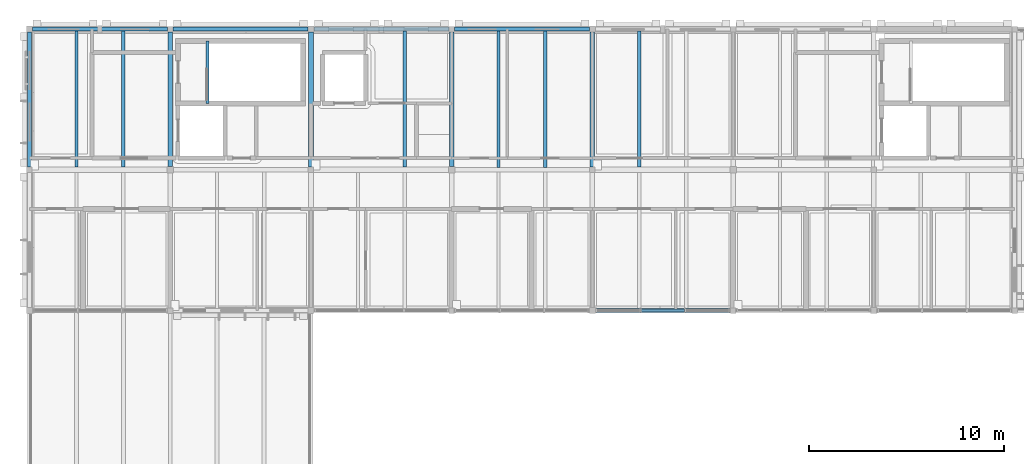
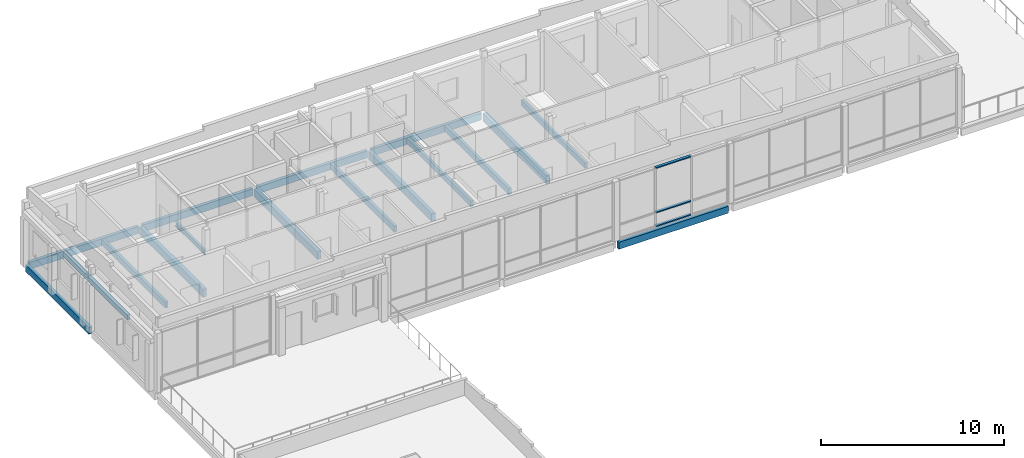
# One storey, part 11 of 32: 17 beams, 3 members, 1 element without a shape of its own.
"""IFC4 building model written with IfcOpenShell, lengths in metres."""

from ifc_helpers import new_model, si_unit, direction, frame, origin, origin_2d, place, context, subcontext, project, spatial, rectangle, hollow_rectangle, i_section, extrude, material, material_profile, profile_set, type_object, element, aggregate, save


model = new_model("IFC4")

# Units and contexts
model_context = context("Model", 3, precision=1e-05, world=origin(), true_north=direction((0.0, 1.0)))
body_context = subcontext(model_context, "Body", "Model", "MODEL_VIEW")
ifc_project = project(units=[si_unit("LENGTHUNIT", "METRE"), si_unit("AREAUNIT", "SQUARE_METRE"), si_unit("VOLUMEUNIT", "CUBIC_METRE"), si_unit("PLANEANGLEUNIT", "RADIAN"), si_unit("MASSUNIT", "GRAM", prefix="KILO")], contexts=[model_context])

# Site, building, storey
site_placement = place(None, origin())
site = spatial("IfcSite", under=ifc_project, at=site_placement, CompositionType="ELEMENT")
building_placement = place(site_placement, origin())
building = spatial("IfcBuilding", under=site, at=building_placement, Name="Hawrajan Terrace Health Centre", CompositionType="ELEMENT")
storey_placement = place(building_placement, frame((0.0, 0.0, 17.39990234375)))
storey = spatial("IfcBuildingStorey", under=building, at=storey_placement, Name="L04", CompositionType="ELEMENT", Elevation=17.39990234375)

# Curtain wall, members
ifc_material_1 = material(Name="Anodized bronze aluminium and low-E solar glazing", Category="aluminium")
curtain_wall_type = type_object("IfcCurtainWallType", Name="CW_CourtNS_SeriesC2", PredefinedType="USERDEFINED", material=ifc_material_1)
curtain_wall_placement = place(storey_placement, origin())
curtain_wall = element("IfcCurtainWall", 1, at=curtain_wall_placement, inside=storey, type_object=curtain_wall_type, Name="Curtain wall CW-L04-176", ObjectType="UNITISED CURTAIN WALL", PredefinedType="USERDEFINED")
ifc_material_2 = material(Name="Anodized bronze aluminium 6063-T6", Category="aluminium")
ifc_material_profile_1 = material_profile(ifc_material_2, hollow_rectangle(XDim=0.074951171875, YDim=0.169921875, WallThickness=0.00439453125, at=origin_2d()), Name="CW TRN 75x170")
ifc_profile_set_1 = profile_set([ifc_material_profile_1], Name="Anodized bronze aluminium 6063-T6")
member_type = type_object("IfcMemberType", Name="CWTransom_75x170", PredefinedType="USERDEFINED", material=ifc_profile_set_1)
member_1_placement = place(storey_placement, frame((35.904052734375, 45.39990234375, 0.03759765625), z_axis=(1.0, 0.0, 0.0), x_axis=(0.0, 0.0, 1.0)))
member_1 = element("IfcMember", 2, at=member_1_placement, type_object=member_type, Name="Transom CW-L04-176-T2-1", ObjectType="TRANSOM", PredefinedType="USERDEFINED", context=body_context, shape_type="SweptSolid", body=[
    extrude(hollow_rectangle(XDim=0.074951171875, YDim=0.169921875, WallThickness=0.00439453125, at=origin_2d()), origin(), (0.0, 0.0, 1.0), 2.2119140625),
])
member_2_placement = place(storey_placement, frame((35.904052734375, 45.39990234375, 0.9501953125), z_axis=(1.0, 0.0, 0.0), x_axis=(0.0, 0.0, 1.0)))
member_2 = element("IfcMember", 3, at=member_2_placement, type_object=member_type, Name="Transom CW-L04-176-T2-2", ObjectType="TRANSOM", PredefinedType="USERDEFINED", context=body_context, shape_type="SweptSolid", body=[
    extrude(hollow_rectangle(XDim=0.074951171875, YDim=0.169921875, WallThickness=0.00439453125, at=origin_2d()), origin(), (0.0, 0.0, 1.0), 2.2119140625),
])
member_3_placement = place(storey_placement, frame((35.904052734375, 45.39990234375, 3.91259765625), z_axis=(1.0, 0.0, 0.0), x_axis=(0.0, 0.0, 1.0)))
member_3 = element("IfcMember", 4, at=member_3_placement, type_object=member_type, Name="Transom CW-L04-176-T2-3", ObjectType="TRANSOM", PredefinedType="USERDEFINED", context=body_context, shape_type="SweptSolid", body=[
    extrude(hollow_rectangle(XDim=0.074951171875, YDim=0.169921875, WallThickness=0.00439453125, at=origin_2d()), origin(), (0.0, 0.0, 1.0), 2.2119140625),
])
aggregate(curtain_wall, [member_1, member_2, member_3])

# Beams
ifc_material_3 = material(Name="Glulam GL32h", Category="wood")
ifc_material_profile_2 = material_profile(ifc_material_3, rectangle(XDim=0.239990234375, YDim=0.52001953125, at=origin_2d()), Name="GL BM 240x520")
ifc_profile_set_2 = profile_set([ifc_material_profile_2], Name="Glulam GL32h")
beam_type_1 = type_object("IfcBeamType", Name="GlulamGirder_240x520", PredefinedType="BEAM", material=ifc_profile_set_2)
for number, where, z_axis, x_axis, name in (
    (5, (11.800048828125, 52.760009765625, -0.449951171875), (0.0, 1.0, 0.0), (-1.0, 0.0, 0.0), "Beam BM-Y-L04-W-X02-7"),
    (6, (19.0, 52.739990234375, -0.449951171875), (0.0, 1.0, 0.0), (-1.0, 0.0, 0.0), "Beam BM-Y-L04-W-X03-7"),
    (7, (26.199951171875, 52.760009765625, -0.449951171875), (0.0, 1.0, 0.0), (-1.0, 0.0, 0.0), "Beam BM-Y-L04-W-X04-7"),
    (8, (33.39990234375, 52.739990234375, -0.449951171875), (0.0, 1.0, 0.0), (-1.0, 0.0, 0.0), "Beam BM-Y-L04-W-X05-7"),
):
    element("IfcBeam", number, at=place(storey_placement, frame(where, z_axis=z_axis, x_axis=x_axis)), inside=storey, type_object=beam_type_1, Name=name, PredefinedType="BEAM", context=body_context, shape_type="SweptSolid", body=[
        extrude(rectangle(XDim=0.239990234375, YDim=0.52001953125, at=origin_2d()), origin(), (0.0, 0.0, 1.0), 6.89990234375),
    ])
ifc_material_4 = material(Name="Glulam GL28h", Category="wood")
ifc_material_profile_3 = material_profile(ifc_material_4, rectangle(XDim=0.159912109375, YDim=0.360107421875, at=origin_2d()), Name="GL JST 160x360")
ifc_profile_set_3 = profile_set([ifc_material_profile_3], Name="Glulam GL28h")
beam_type_2 = type_object("IfcBeamType", Name="GlulamJoist_160x360", PredefinedType="JOIST", material=ifc_profile_set_3)
beam_1_placement = place(storey_placement, frame((7.0, 52.739990234375, -0.369873046875), z_axis=(0.0, 1.0, 0.0), x_axis=(-1.0, 0.0, 0.0)))
element("IfcBeam", 9, at=beam_1_placement, inside=storey, type_object=beam_type_2, Name="Secondary joist JST-L04-W-01-7-1", PredefinedType="JOIST", context=body_context, shape_type="SweptSolid", body=[
    extrude(rectangle(XDim=0.159912109375, YDim=0.360107421875, at=origin_2d()), origin(), (0.0, 0.0, 1.0), 6.9599609375),
])
beam_2_placement = place(storey_placement, frame((28.60009765625, 52.719970703125, -0.369873046875), z_axis=(0.0, 1.0, 0.0), x_axis=(-1.0, 0.0, 0.0)))
element("IfcBeam", 10, at=beam_2_placement, inside=storey, type_object=beam_type_2, Name="Secondary joist JST-L04-W-04-7-1", PredefinedType="JOIST", context=body_context, shape_type="SweptSolid", body=[
    extrude(rectangle(XDim=0.159912109375, YDim=0.360107421875, at=origin_2d()), origin(), (0.0, 0.0, 1.0), 6.97998046875),
])
beam_3_placement = place(storey_placement, frame((35.800048828125, 52.739990234375, -0.369873046875), z_axis=(0.0, 1.0, 0.0), x_axis=(-1.0, 0.0, 0.0)))
element("IfcBeam", 11, at=beam_3_placement, inside=storey, type_object=beam_type_2, Name="Secondary joist JST-L04-W-05-7-1", PredefinedType="JOIST", context=body_context, shape_type="SweptSolid", body=[
    extrude(rectangle(XDim=0.159912109375, YDim=0.360107421875, at=origin_2d()), origin(), (0.0, 0.0, 1.0), 6.9599609375),
])
ifc_material_profile_4 = material_profile(ifc_material_4, rectangle(XDim=0.179931640625, YDim=0.39990234375, at=origin_2d()), Name="GL JST 180x400")
ifc_profile_set_4 = profile_set([ifc_material_profile_4], Name="Glulam GL28h")
beam_type_3 = type_object("IfcBeamType", Name="GlulamJoist_180x400", PredefinedType="JOIST", material=ifc_profile_set_4)
for number, where, z_axis, x_axis, name in (
    (12, (9.39990234375, 52.739990234375, -0.389892578125), (0.0, 1.0, 0.0), (-1.0, 0.0, 0.0), "Secondary joist JST-L04-W-01-7-2"),
    (13, (23.800048828125, 52.739990234375, -0.389892578125), (0.0, 1.0, 0.0), (-1.0, 0.0, 0.0), "Secondary joist JST-L04-W-03-7-2"),
):
    element("IfcBeam", number, at=place(storey_placement, frame(where, z_axis=z_axis, x_axis=x_axis)), inside=storey, type_object=beam_type_3, Name=name, PredefinedType="JOIST", context=body_context, shape_type="SweptSolid", body=[
        extrude(rectangle(XDim=0.179931640625, YDim=0.39990234375, at=origin_2d()), origin(), (0.0, 0.0, 1.0), 6.9599609375),
    ])
beam_4_placement = place(storey_placement, frame((31.0, 52.719970703125, -0.389892578125), z_axis=(0.0, 1.0, 0.0), x_axis=(-1.0, 0.0, 0.0)))
element("IfcBeam", 14, at=beam_4_placement, inside=storey, type_object=beam_type_3, Name="Secondary joist JST-L04-W-04-7-2", PredefinedType="JOIST", context=body_context, shape_type="SweptSolid", body=[
    extrude(rectangle(XDim=0.179931640625, YDim=0.39990234375, at=origin_2d()), origin(), (0.0, 0.0, 1.0), 6.97998046875),
])
ifc_material_profile_5 = material_profile(ifc_material_3, rectangle(XDim=0.199951171875, YDim=0.4599609375, at=origin_2d()), Name="GL SP 200x460")
ifc_profile_set_5 = profile_set([ifc_material_profile_5], Name="Glulam GL32h")
beam_type_4 = type_object("IfcBeamType", Name="GlulamSpandrel_200x460", PredefinedType="SPANDREL", material=ifc_profile_set_5)
beam_5_placement = place(storey_placement, frame((4.760009765625, 59.800048828125, -0.419921875), z_axis=(1.0, 0.0, 0.0), x_axis=(0.0, 1.0, 0.0)))
element("IfcBeam", 15, at=beam_5_placement, inside=storey, type_object=beam_type_4, Name="Beam BM-X-L04-W-01-Y8", PredefinedType="SPANDREL", context=body_context, shape_type="SweptSolid", body=[
    extrude(rectangle(XDim=0.199951171875, YDim=0.4599609375, at=origin_2d()), origin(), (0.0, 0.0, 1.0), 6.89990234375),
])
for number, where, z_axis, x_axis, name in (
    (16, (11.93994140625, 59.800048828125, -0.419921875), (1.0, 0.0, 0.0), (0.0, 1.0, 0.0), "Beam BM-X-L04-W-02-Y8"),
    (17, (19.159912109375, 59.800048828125, -0.419921875), (1.0, 0.0, 0.0), (0.0, 1.0, 0.0), "Beam BM-X-L04-W-03-Y8"),
):
    element("IfcBeam", number, at=place(storey_placement, frame(where, z_axis=z_axis, x_axis=x_axis)), inside=storey, type_object=beam_type_4, Name=name, PredefinedType="SPANDREL", context=body_context, shape_type="SweptSolid", body=[
        extrude(rectangle(XDim=0.199951171875, YDim=0.4599609375, at=origin_2d()), origin(), (0.0, 0.0, 1.0), 6.900146484375),
    ])
for number, where, z_axis, x_axis, name in (
    (18, (26.340087890625, 59.800048828125, -0.419921875), (1.0, 0.0, 0.0), (0.0, 1.0, 0.0), "Beam BM-X-L04-W-04-Y8"),
    (19, (33.56005859375, 45.39990234375, -0.419921875), (1.0, 0.0, 0.0), (0.0, 1.0, 0.0), "Beam BM-X-L04-W-05-Y6"),
    (20, (4.60009765625, 52.739990234375, -0.419921875), (0.0, 1.0, 0.0), (-1.0, 0.0, 0.0), "Beam BM-Y-L04-W-X01-7"),
):
    element("IfcBeam", number, at=place(storey_placement, frame(where, z_axis=z_axis, x_axis=x_axis)), inside=storey, type_object=beam_type_4, Name=name, PredefinedType="SPANDREL", context=body_context, shape_type="SweptSolid", body=[
        extrude(rectangle(XDim=0.199951171875, YDim=0.4599609375, at=origin_2d()), origin(), (0.0, 0.0, 1.0), 6.89990234375),
    ])
ifc_material_5 = material(Name="Steel S355", Category="steel")
ifc_material_profile_6 = material_profile(ifc_material_5, i_section(OverallWidth=0.14990234375, OverallDepth=0.300048828125, WebThickness=0.007080078125, FlangeThickness=0.0107421875, FilletRadius=0.014892578125, at=origin_2d()), Name="IPE 300")
ifc_profile_set_6 = profile_set([ifc_material_profile_6], Name="Steel S355")
beam_type_5 = type_object("IfcBeamType", Name="SteelBeam_IPE300", PredefinedType="JOIST", material=ifc_profile_set_6)
beam_6_placement = place(storey_placement, frame((13.699951171875, 56.0, -0.369873046875), z_axis=(0.0, 1.0, 0.0), x_axis=(-1.0, 0.0, 0.0)))
element("IfcBeam", 21, at=beam_6_placement, inside=storey, type_object=beam_type_5, Name="Stair top trimmer ST-1", PredefinedType="JOIST", context=body_context, shape_type="SweptSolid", body=[
    extrude(i_section(OverallWidth=0.14990234375, OverallDepth=0.300048828125, WebThickness=0.007080078125, FlangeThickness=0.0107421875, FilletRadius=0.014892578125, at=origin_2d()), origin(), (0.0, 0.0, 1.0), 3.199951171875),
])

save(model, "model.ifc")
